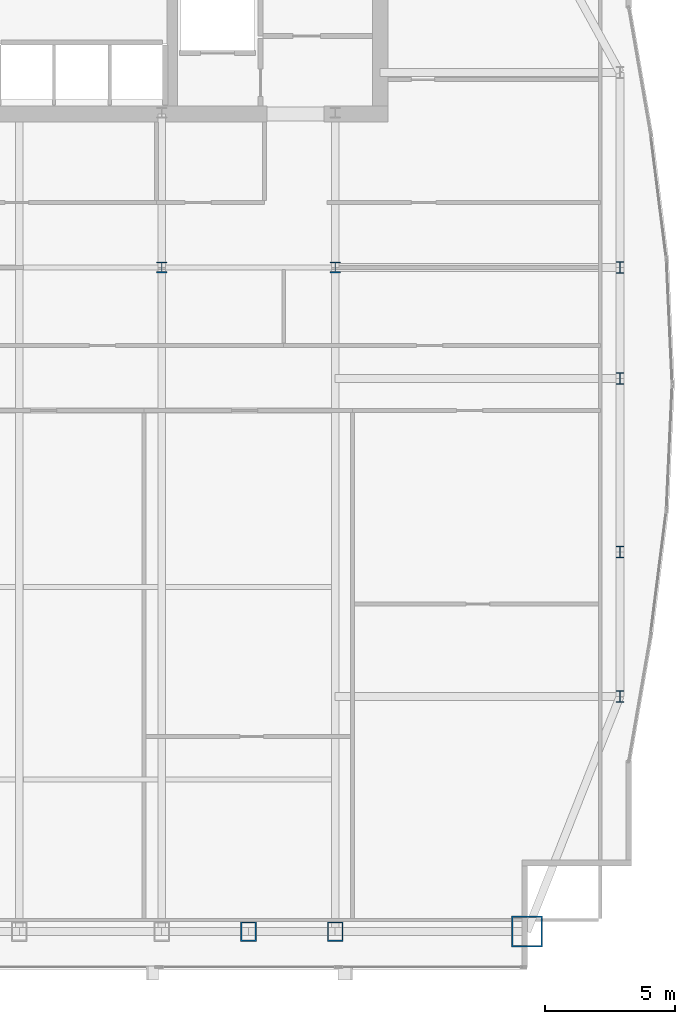
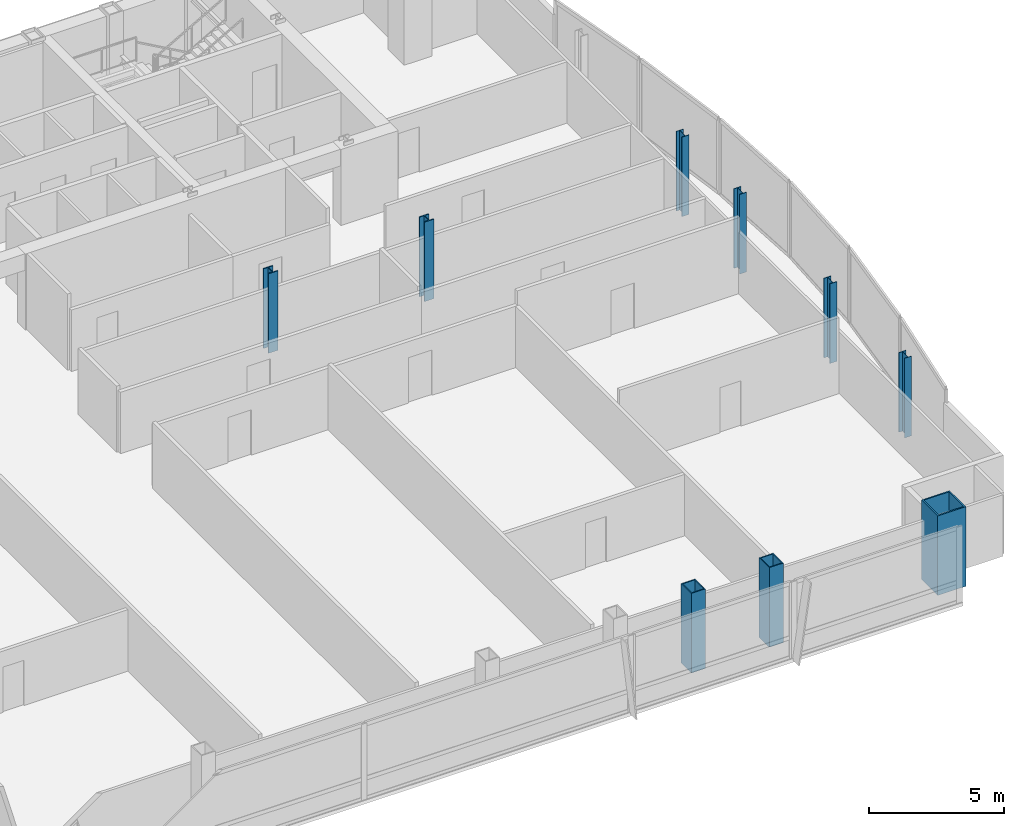
# One storey, part 2 of 30: 9 columns.
"""IFC4 building model written with IfcOpenShell, lengths in metres."""

from ifc_helpers import new_model, si_unit, direction, frame, origin, origin_2d, place, context, subcontext, project, spatial, hollow_rectangle, i_section, extrude, material, material_profile, profile_set, type_object, element, save


model = new_model("IFC4")

# Units and contexts
model_context = context("Model", 3, precision=1e-05, world=origin(), true_north=direction((0.0, 1.0)))
body_context = subcontext(model_context, "Body", "Model", "MODEL_VIEW")
ifc_project = project(units=[si_unit("LENGTHUNIT", "METRE"), si_unit("AREAUNIT", "SQUARE_METRE"), si_unit("VOLUMEUNIT", "CUBIC_METRE"), si_unit("PLANEANGLEUNIT", "RADIAN"), si_unit("MASSUNIT", "GRAM", prefix="KILO")], contexts=[model_context])

# Site, building, storey
site_placement = place(None, origin())
site = spatial("IfcSite", under=ifc_project, at=site_placement, CompositionType="ELEMENT")
building_placement = place(site_placement, origin())
building = spatial("IfcBuilding", under=site, at=building_placement, Name="Khoronbel Lancet Exchange", CompositionType="ELEMENT")
storey_placement = place(building_placement, frame((0.0, 0.0, 224.60009765625)))
storey = spatial("IfcBuildingStorey", under=building, at=storey_placement, Name="L57", CompositionType="ELEMENT", Elevation=224.60009765625)

# Columns
ifc_material_1 = material(Name="Steel S460", Category="steel")
ifc_material_profile_1 = material_profile(ifc_material_1, hollow_rectangle(XDim=0.60009765625, YDim=0.75, WallThickness=0.044921875, at=origin_2d()), Name="BOX 750x600x45")
ifc_profile_set_1 = profile_set([ifc_material_profile_1], Name="Steel S460")
column_type_1 = type_object("IfcColumnType", Name="COL-EC3", PredefinedType="COLUMN", material=ifc_profile_set_1)
for number, where, z_axis, x_axis, name in (
    (1, (51.33740234375, 10.14990234375, 0.0), (0.0, 0.0, 1.0), (1.0, 0.0, 0.0), "Structural column SC-EM L57"),
    (2, (54.675048828125, 10.14990234375, 0.0), (0.0, 0.0, 1.0), (1.0, 0.0, 0.0), "Structural column SC-E2 L57"),
):
    element("IfcColumn", number, at=place(storey_placement, frame(where, z_axis=z_axis, x_axis=x_axis)), inside=storey, type_object=column_type_1, Name=name, PredefinedType="COLUMN", context=body_context, shape_type="SweptSolid", body=[
        extrude(hollow_rectangle(XDim=0.60009765625, YDim=0.75, WallThickness=0.044921875, at=origin_2d()), origin(), (0.0, 0.0, 1.0), 3.599853515625),
    ])
ifc_material_2 = material(Name="Steel S355", Category="steel")
ifc_material_profile_2 = material_profile(ifc_material_2, i_section(OverallWidth=0.406005859375, OverallDepth=0.416015625, WebThickness=0.02978515625, FlangeThickness=0.048095703125, at=origin_2d()), Name="HD 400x382")
ifc_profile_set_2 = profile_set([ifc_material_profile_2], Name="Steel S355")
column_type_2 = type_object("IfcColumnType", Name="COL-IC3", PredefinedType="COLUMN", material=ifc_profile_set_2)
for number, where, z_axis, x_axis, name in (
    (3, (48.0, 35.699951171875, 0.0), (0.0, 0.0, 1.0), (1.0, 0.0, 0.0), "Spine gravity column TC3 L57"),
    (4, (54.675048828125, 35.699951171875, 0.0), (0.0, 0.0, 1.0), (1.0, 0.0, 0.0), "Spine gravity column TC4 L57"),
):
    element("IfcColumn", number, at=place(storey_placement, frame(where, z_axis=z_axis, x_axis=x_axis)), inside=storey, type_object=column_type_2, Name=name, PredefinedType="COLUMN", context=body_context, shape_type="SweptSolid", body=[
        extrude(i_section(OverallWidth=0.406005859375, OverallDepth=0.416015625, WebThickness=0.02978515625, FlangeThickness=0.048095703125, at=origin_2d()), origin(), (0.0, 0.0, 1.0), 3.599853515625),
    ])
ifc_material_profile_3 = material_profile(ifc_material_2, i_section(OverallWidth=0.300048828125, OverallDepth=0.449951171875, WebThickness=0.013916015625, FlangeThickness=0.02587890625, at=origin_2d()), Name="HEB 450")
ifc_profile_set_3 = profile_set([ifc_material_profile_3], Name="Steel S355")
column_type_3 = type_object("IfcColumnType", Name="COL-LC2", PredefinedType="COLUMN", material=ifc_profile_set_3)
for number, where, z_axis, x_axis, name in (
    (5, (65.6298828125, 19.199951171875, 0.0), (0.0, 0.0, 1.0), (1.0, 0.0, 0.0), "Structural column EC-1 L57"),
    (6, (65.6298828125, 24.75, 0.0), (0.0, 0.0, 1.0), (1.0, 0.0, 0.0), "Structural column EC-2 L57"),
    (7, (65.6298828125, 31.425048828125, 0.0), (0.0, 0.0, 1.0), (1.0, 0.0, 0.0), "Structural column EC-M L57"),
    (8, (65.6298828125, 35.699951171875, 0.0), (0.0, 0.0, 1.0), (1.0, 0.0, 0.0), "Structural column EC-3 L57"),
):
    element("IfcColumn", number, at=place(storey_placement, frame(where, z_axis=z_axis, x_axis=x_axis)), inside=storey, type_object=column_type_3, Name=name, PredefinedType="COLUMN", context=body_context, shape_type="SweptSolid", body=[
        extrude(i_section(OverallWidth=0.300048828125, OverallDepth=0.449951171875, WebThickness=0.013916015625, FlangeThickness=0.02587890625, at=origin_2d()), origin(), (0.0, 0.0, 1.0), 3.599853515625),
    ])
ifc_material_profile_4 = material_profile(ifc_material_1, hollow_rectangle(XDim=1.199951171875, YDim=1.199951171875, WallThickness=0.06005859375, at=origin_2d()), Name="BOX 1200x1200x60")
ifc_profile_set_4 = profile_set([ifc_material_profile_4], Name="Steel S460")
column_type_4 = type_object("IfcColumnType", Name="COL-MC5", PredefinedType="COLUMN", material=ifc_profile_set_4)
column_placement = place(storey_placement, frame((62.050048828125, 10.14990234375, 0.0), z_axis=(0.0, 0.0, 1.0), x_axis=(1.0, 0.0, 0.0)))
element("IfcColumn", 9, at=column_placement, inside=storey, type_object=column_type_4, Name="Structural column MC-SE L57", PredefinedType="COLUMN", context=body_context, shape_type="SweptSolid", body=[
    extrude(hollow_rectangle(XDim=1.199951171875, YDim=1.199951171875, WallThickness=0.06005859375, at=origin_2d()), origin(), (0.0, 0.0, 1.0), 3.599853515625),
])

save(model, "model.ifc")
